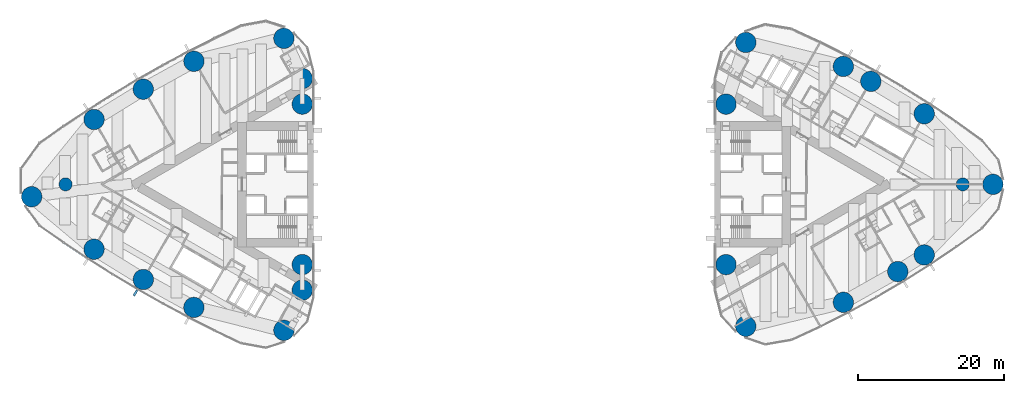
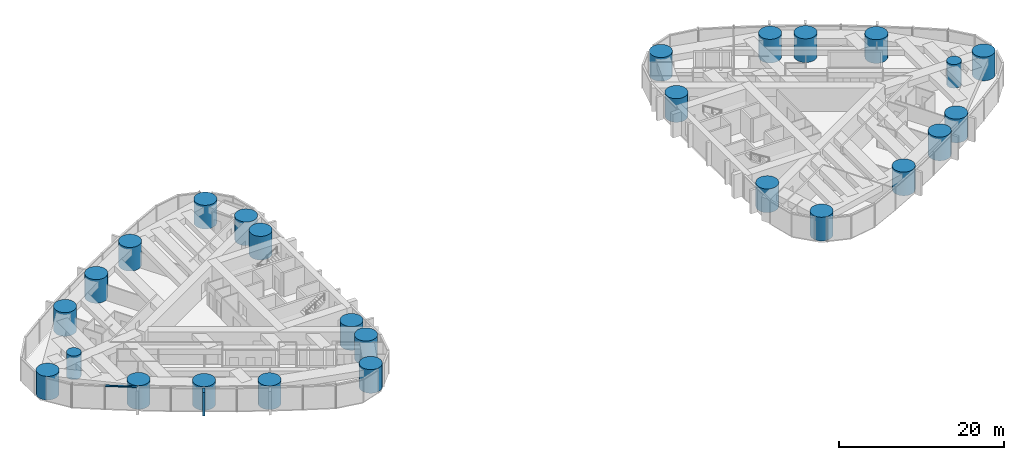
# One storey, part 1 of 19: 26 columns, 2 members, 1 element without a shape of its own.
"""IFC4 building model written with IfcOpenShell, lengths in metres."""

from ifc_helpers import new_model, si_unit, direction, frame, origin, origin_2d, place, context, subcontext, project, spatial, rectangle, circle, extrude, material, material_profile, profile_set, type_object, element, aggregate, save


model = new_model("IFC4")

# Units and contexts
model_context = context("Model", 3, precision=1e-05, world=origin(), true_north=direction((0.0, 1.0)))
body_context = subcontext(model_context, "Body", "Model", "MODEL_VIEW")
ifc_project = project(units=[si_unit("LENGTHUNIT", "METRE"), si_unit("AREAUNIT", "SQUARE_METRE"), si_unit("VOLUMEUNIT", "CUBIC_METRE"), si_unit("PLANEANGLEUNIT", "RADIAN"), si_unit("MASSUNIT", "GRAM", prefix="KILO")], contexts=[model_context])

# Site, building, storey
site_placement = place(None, origin())
site = spatial("IfcSite", under=ifc_project, at=site_placement, CompositionType="ELEMENT")
building_placement = place(site_placement, origin())
building = spatial("IfcBuilding", under=site, at=building_placement, Name="Lancet Gate Hotel", CompositionType="ELEMENT")
storey_placement = place(building_placement, frame((0.0, 0.0, 159.800048828125)))
storey = spatial("IfcBuildingStorey", under=building, at=storey_placement, Name="L42", CompositionType="ELEMENT", Elevation=159.800048828125)

# Columns
ifc_material_1 = material(Name="Concrete C60/75", Category="concrete")
ifc_material_profile_1 = material_profile(ifc_material_1, circle(Radius=0.89990234375, at=origin_2d()), Name="RC D1800")
ifc_profile_set_1 = profile_set([ifc_material_profile_1], Name="Concrete C60/75")
column_type_1 = type_object("IfcColumnType", Name="Apex column RC D1800", PredefinedType="COLUMN", material=ifc_profile_set_1)
for number, where, z_axis, x_axis, name in (
    (1, (-61.5, 0.0, 0.0), (0.0, 0.0, 1.0), (1.0, 0.0, 0.0), "T1 column AX L42"),
    (2, (61.5, 0.0, 0.0), (0.0, 0.0, 1.0), (1.0, 0.0, 0.0), "T2 column AX L42"),
):
    element("IfcColumn", number, at=place(storey_placement, frame(where, z_axis=z_axis, x_axis=x_axis)), inside=storey, type_object=column_type_1, Name=name, PredefinedType="COLUMN", context=body_context, shape_type="SweptSolid", body=[
        extrude(circle(Radius=0.89990234375, at=origin_2d()), origin(), (0.0, 0.0, 1.0), 3.5),
    ])
ifc_material_2 = material(Name="Concrete C60/75", Category="concrete")
ifc_material_profile_2 = material_profile(ifc_material_2, circle(Radius=1.39990234375, at=origin_2d()), Name="RC D2800")
ifc_profile_set_2 = profile_set([ifc_material_profile_2], Name="Concrete C60/75")
column_type_2 = type_object("IfcColumnType", Name="Perimeter column RC D2800", PredefinedType="COLUMN", material=ifc_profile_set_2)
for number, where, z_axis, x_axis, name in (
    (3, (-66.142578125, -1.6953125, 0.0), (0.0, 0.0, 1.0), (1.0, 0.0, 0.0), "T1 column CA L42"),
    (4, (-31.5654296875, -20.015869140625, 0.0), (0.0, 0.0, 1.0), (1.0, 0.0, 0.0), "T1 column CN L42"),
    (5, (-31.5654296875, 20.015869140625, 0.0), (0.0, 0.0, 1.0), (1.0, 0.0, 0.0), "T1 column CS L42"),
    (6, (-29.050048828125, -11.0, 0.0), (0.0, 0.0, 1.0), (1.0, 0.0, 0.0), "T1 column IN L42"),
    (7, (-29.050048828125, 11.0, 0.0), (0.0, 0.0, 1.0), (1.0, 0.0, 0.0), "T1 column IS L42"),
    (8, (-29.050048828125, 14.5, 0.0), (0.0, 0.0, 1.0), (1.0, 0.0, 0.0), "T1 column IT L42"),
    (9, (-29.050048828125, -14.5, 0.0), (0.0, 0.0, 1.0), (1.0, 0.0, 0.0), "T1 column JT L42"),
    (10, (-57.589599609375, -8.89306640625, 0.0), (0.0, 0.0, 1.0), (1.0, 0.0, 0.0), "T1 column ON1 L42"),
    (11, (-50.8388671875, -13.043212890625, 0.0), (0.0, 0.0, 1.0), (1.0, 0.0, 0.0), "T1 column ON2 L42"),
    (12, (-43.900390625, -16.871337890625, 0.0), (0.0, 0.0, 1.0), (1.0, 0.0, 0.0), "T1 column ON3 L42"),
    (13, (-43.900390625, 16.871337890625, 0.0), (0.0, 0.0, 1.0), (1.0, 0.0, 0.0), "T1 column OS1 L42"),
    (14, (-50.8388671875, 13.043212890625, 0.0), (0.0, 0.0, 1.0), (1.0, 0.0, 0.0), "T1 column OS2 L42"),
    (15, (-57.589599609375, 8.89306640625, 0.0), (0.0, 0.0, 1.0), (1.0, 0.0, 0.0), "T1 column OS3 L42"),
    (16, (65.6396484375, 0.0, 0.0), (0.0, 0.0, 1.0), (1.0, 0.0, 0.0), "T2 column CA L42"),
    (17, (31.759765625, 19.455810546875, 0.0), (0.0, 0.0, 1.0), (1.0, 0.0, 0.0), "T2 column CN L42"),
    (18, (31.759765625, -19.455810546875, 0.0), (0.0, 0.0, 1.0), (1.0, 0.0, 0.0), "T2 column CS L42"),
    (19, (29.050048828125, 11.0, 0.0), (0.0, 0.0, 1.0), (1.0, 0.0, 0.0), "T2 column IN L42"),
    (20, (29.050048828125, -11.0, 0.0), (0.0, 0.0, 1.0), (1.0, 0.0, 0.0), "T2 column IS L42"),
    (21, (56.220947265625, 9.67236328125, 0.0), (0.0, 0.0, 1.0), (1.0, 0.0, 0.0), "T2 column ON1 L42"),
    (22, (48.8974609375, 14.12060546875, 0.0), (0.0, 0.0, 1.0), (1.0, 0.0, 0.0), "T2 column ON2 L42"),
    (23, (45.133544921875, 16.16845703125, 0.0), (0.0, 0.0, 1.0), (1.0, 0.0, 0.0), "T2 column ON3 L42"),
    (24, (45.133544921875, -16.16845703125, 0.0), (0.0, 0.0, 1.0), (1.0, 0.0, 0.0), "T2 column OS1 L42"),
    (25, (52.594482421875, -11.95458984375, 0.0), (0.0, 0.0, 1.0), (1.0, 0.0, 0.0), "T2 column OS2 L42"),
    (26, (56.220947265625, -9.67236328125, 0.0), (0.0, 0.0, 1.0), (1.0, 0.0, 0.0), "T2 column OS3 L42"),
):
    element("IfcColumn", number, at=place(storey_placement, frame(where, z_axis=z_axis, x_axis=x_axis)), inside=storey, type_object=column_type_2, Name=name, PredefinedType="COLUMN", context=body_context, shape_type="SweptSolid", body=[
        extrude(circle(Radius=1.39990234375, at=origin_2d()), origin(), (0.0, 0.0, 1.0), 3.5),
    ])

# Curtain wall, members
ifc_material_3 = material(Name="Aluminium curtain wall", Category="aluminium")
curtain_wall_type = type_object("IfcCurtainWallType", Name="Tower unitised curtain wall", PredefinedType="USERDEFINED", material=ifc_material_3)
curtain_wall_placement = place(storey_placement, origin())
curtain_wall = element("IfcCurtainWall", 27, at=curtain_wall_placement, inside=storey, type_object=curtain_wall_type, Name="T1 L42 curtain wall 3", ObjectType="UNITISED CURTAIN WALL", PredefinedType="USERDEFINED")
ifc_material_4 = material(Name="Aluminium transom", Category="aluminium")
ifc_material_profile_3 = material_profile(ifc_material_4, rectangle(XDim=0.25, YDim=0.14990234375, at=origin_2d()), Name="TRANSOM 250x150")
ifc_profile_set_3 = profile_set([ifc_material_profile_3], Name="Aluminium transom")
member_type_1 = type_object("IfcMemberType", Name="Aluminium transom 250x150", PredefinedType="USERDEFINED", material=ifc_profile_set_3)
member_1_placement = place(storey_placement, frame((-61.735595703125, -7.998779296875, 3.425048828125), z_axis=(0.832870509189, -0.553467898729, 0.0), x_axis=(0.553467898729, 0.832870509189, 0.0)))
member_1 = element("IfcMember", 28, at=member_1_placement, type_object=member_type_1, Name="T1 L42 curtain wall 3 transom 3", ObjectType="TRANSOM", PredefinedType="USERDEFINED", context=body_context, shape_type="SweptSolid", body=[
    extrude(rectangle(XDim=0.25, YDim=0.14990234375, at=origin_2d()), origin(), (0.0, 0.0, 1.0), 3.933837890625),
])
ifc_material_5 = material(Name="Precast concrete C50/60", Category="concrete")
ifc_material_profile_4 = material_profile(ifc_material_5, rectangle(XDim=0.300048828125, YDim=0.89990234375, at=origin_2d()), Name="FIN 300x900")
ifc_profile_set_4 = profile_set([ifc_material_profile_4], Name="Precast concrete C50/60")
member_type_2 = type_object("IfcMemberType", Name="Exposed concrete fin 300x900", PredefinedType="USERDEFINED", material=ifc_profile_set_4)
member_2_placement = place(storey_placement, frame((-51.908935546875, -14.879150390625, 0.0), z_axis=(0.0, 0.0, 1.0), x_axis=(0.863968774311, -0.503545387245, 0.0)))
member_2 = element("IfcMember", 29, at=member_2_placement, type_object=member_type_2, Name="T1 L42 curtain wall 3 fin 6", ObjectType="FIN", PredefinedType="USERDEFINED", context=body_context, shape_type="SweptSolid", body=[
    extrude(rectangle(XDim=0.300048828125, YDim=0.89990234375, at=origin_2d()), origin(), (0.0, 0.0, 1.0), 3.5),
])
aggregate(curtain_wall, [member_2, member_1])

save(model, "model.ifc")
